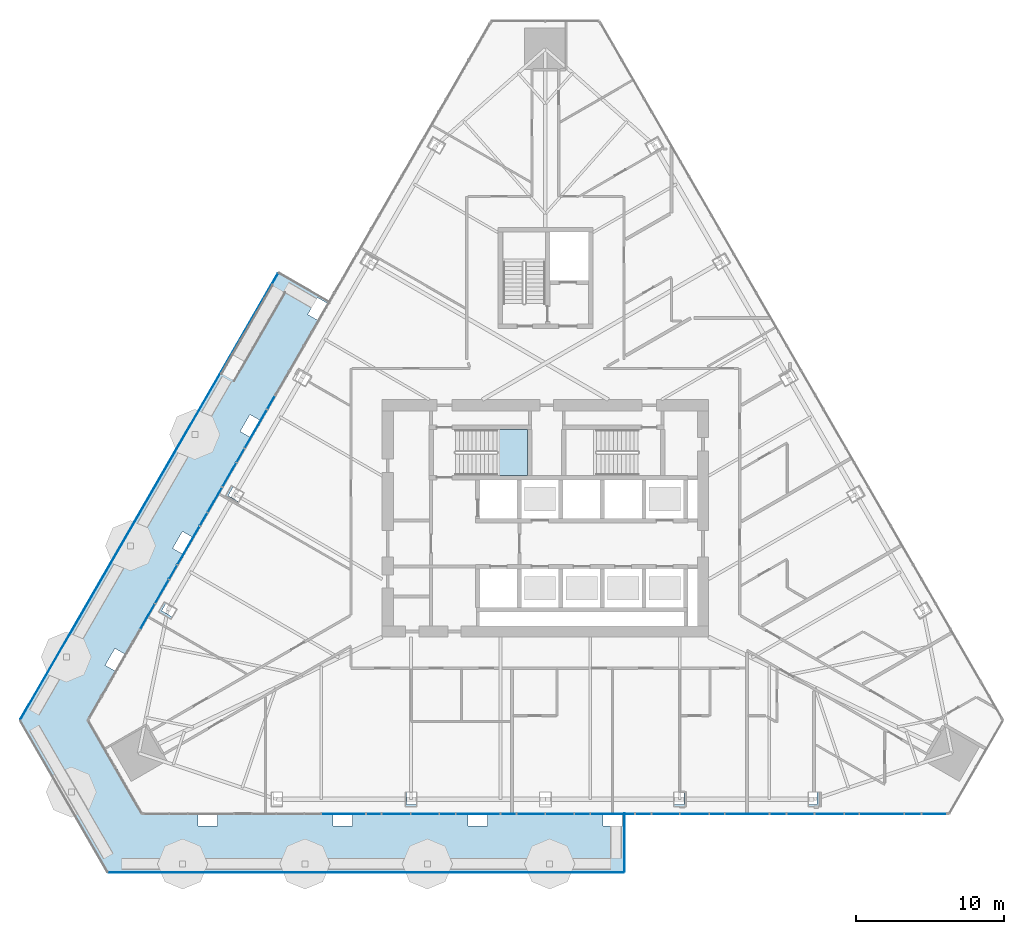
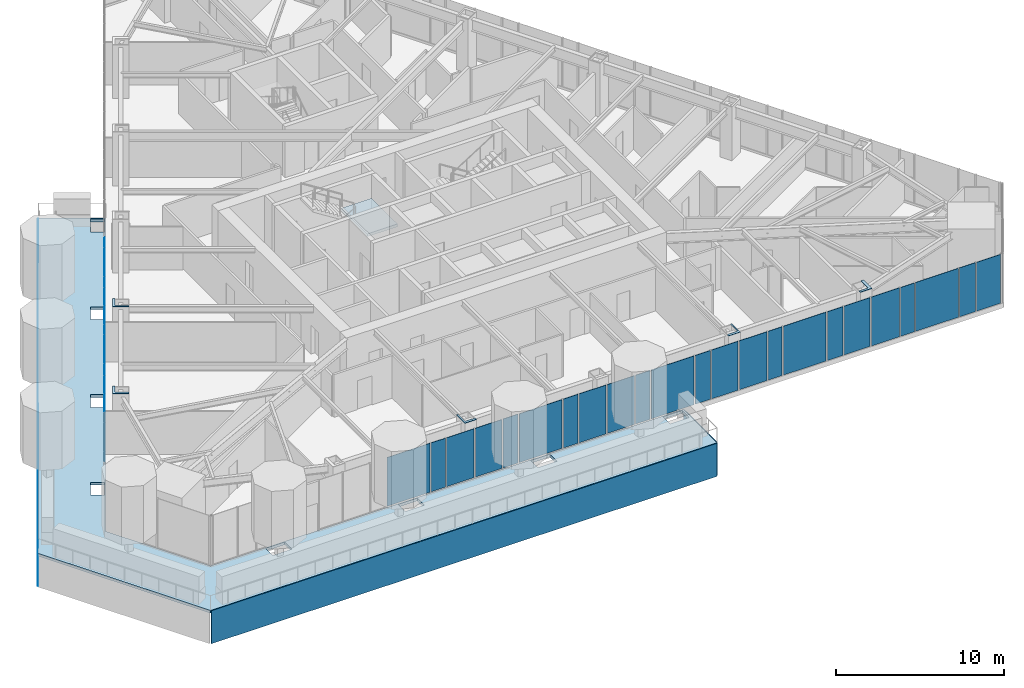
# One storey, part 17 of 32: 41 plates, 2 slabs, 3 elements without a shape of their own.
"""IFC4 building model written with IfcOpenShell, lengths in metres."""

from ifc_helpers import new_model, si_unit, direction, frame, origin, place, context, subcontext, project, spatial, polyline, outline, extrude, material, layer, layer_set, type_object, element, aggregate, save


model = new_model("IFC4")

# Units and contexts
model_context = context("Model", 3, precision=1e-05, world=origin(), true_north=direction((0.0, 1.0)))
body_context = subcontext(model_context, "Body", "Model", "MODEL_VIEW")
ifc_project = project(units=[si_unit("LENGTHUNIT", "METRE"), si_unit("AREAUNIT", "SQUARE_METRE"), si_unit("VOLUMEUNIT", "CUBIC_METRE"), si_unit("PLANEANGLEUNIT", "RADIAN"), si_unit("MASSUNIT", "GRAM", prefix="KILO")], contexts=[model_context])

# Site, building, storey
site_placement = place(None, origin())
site = spatial("IfcSite", under=ifc_project, at=site_placement, CompositionType="ELEMENT")
building_placement = place(site_placement, origin())
building = spatial("IfcBuilding", under=site, at=building_placement, Name="Firuza Gate Tower and Library", CompositionType="ELEMENT")
storey_placement = place(building_placement, frame((0.0, 0.0, 163.60009765625)))
storey = spatial("IfcBuildingStorey", under=building, at=storey_placement, Name="L37", CompositionType="ELEMENT", Elevation=163.60009765625)

# Plates
ifc_material_1 = material(Name="Steel S355", Category="steel")
ifc_layer_1 = layer(ifc_material_1, 0.030029296875)
ifc_layer_set_1 = layer_set([ifc_layer_1], Name="Column infill plate 30 Steel S355")
plate_type_1 = type_object("IfcPlateType", Name="Column infill plate 30 Steel S355", PredefinedType="SHEET", material=ifc_layer_set_1)
placement_1 = place(storey_placement, frame((0.0, 0.0, 3.89990234375)))
element("IfcPlate", 1, at=placement_1, inside=storey, type_object=plate_type_1, Name="Infill plate L37:S2", PredefinedType="SHEET", context=body_context, shape_type="SweptSolid", body=[
    extrude(outline(polyline([(66.345947265625, 55.56103515625), (66.345947265625, 55.720458984375), (65.63818359375, 55.720458984375), (65.63818359375, 56.56103515625), (65.546142578125, 56.56103515625), (65.546142578125, 55.56103515625), (66.345947265625, 55.56103515625)])), origin(), (0.0, 0.0, 1.0), 0.030029296875),
])
element("IfcPlate", 2, at=placement_1, inside=storey, type_object=plate_type_1, Name="Infill plate L37:S4", PredefinedType="SHEET", context=body_context, shape_type="SweptSolid", body=[
    extrude(outline(polyline([(84.453857421875, 56.56103515625), (84.36181640625, 56.56103515625), (84.36181640625, 55.720458984375), (83.654052734375, 55.720458984375), (83.654052734375, 55.56103515625), (84.453857421875, 55.56103515625), (84.453857421875, 56.56103515625)])), origin(), (0.0, 0.0, 1.0), 0.030029296875),
])
element("IfcPlate", 3, at=placement_1, inside=storey, type_object=plate_type_1, Name="Infill plate L37:S5", PredefinedType="SHEET", context=body_context, shape_type="SweptSolid", body=[
    extrude(outline(polyline([(93.508056640625, 56.56103515625), (93.323974609375, 56.56103515625), (93.323974609375, 55.720458984375), (92.7080078125, 55.720458984375), (92.7080078125, 55.56103515625), (93.508056640625, 55.56103515625), (93.508056640625, 56.56103515625)])), origin(), (0.0, 0.0, 1.0), 0.030029296875),
])
element("IfcPlate", 4, at=placement_1, inside=storey, type_object=plate_type_1, Name="Infill plate L37:W4", PredefinedType="SHEET", context=body_context, shape_type="SweptSolid", body=[
    extrude(outline(polyline([(54.304443359375, 76.031982421875), (54.3505859375, 76.11181640625), (53.62255859375, 76.531982421875), (53.9765625, 77.145263671875), (53.83837890625, 77.224853515625), (53.4384765625, 76.531982421875), (54.304443359375, 76.031982421875)])), origin(), (0.0, 0.0, 1.0), 0.030029296875),
])
element("IfcPlate", 5, at=placement_1, inside=storey, type_object=plate_type_1, Name="Infill plate L37:W5", PredefinedType="SHEET", context=body_context, shape_type="SweptSolid", body=[
    extrude(outline(polyline([(49.777587890625, 68.191162109375), (49.86962890625, 68.3505859375), (49.1416015625, 68.770751953125), (49.449462890625, 69.30419921875), (49.3115234375, 69.3837890625), (48.911376953125, 68.691162109375), (49.777587890625, 68.191162109375)])), origin(), (0.0, 0.0, 1.0), 0.030029296875),
])

# Curtain wall, plates
ifc_material_2 = material(Name="Aluminium 6063-T6", Category="aluminium")
ifc_layer_2 = layer(ifc_material_2, 0.14990234375)
ifc_layer_set_2 = layer_set([ifc_layer_2], Name="Unitised curtain wall, hotel")
curtain_wall_type = type_object("IfcCurtainWallType", Name="Unitised curtain wall, hotel", PredefinedType="NOTDEFINED", material=ifc_layer_set_2)
placement_2 = place(storey_placement, origin())
curtain_wall_1 = element("IfcCurtainWall", 6, at=placement_2, inside=storey, type_object=curtain_wall_type, Name="CW2 L37 S face", PredefinedType="NOTDEFINED")
ifc_material_3 = material(Name="Fritted glass", Category="glass")
ifc_layer_3 = layer(ifc_material_3, 0.030029296875)
ifc_layer_set_3 = layer_set([ifc_layer_3], Name="Fritted glass unit, hotel")
plate_type_2 = type_object("IfcPlateType", Name="Fritted glass unit, hotel", PredefinedType="CURTAIN_PANEL", material=ifc_layer_set_3)
plate_6_placement = place(storey_placement, frame((63.99853515625, 55.071044921875, 0.14990234375), z_axis=(0.0, -1.0, 0.0), x_axis=(1.0, 0.0, 0.0)))
plate_6 = element("IfcPlate", 7, at=plate_6_placement, type_object=plate_type_2, Name="Glass unit", PredefinedType="CURTAIN_PANEL", context=body_context, shape_type="SweptSolid", body=[
    extrude(outline(polyline([(0.0, 0.0), (1.89306640625, 0.0), (1.89306640625, 3.550048828125), (0.0, 3.550048828125), (0.0, 0.0)])), origin(), (0.0, 0.0, -1.0), 0.030029296875),
])
plate_7_placement = place(storey_placement, frame((65.9716796875, 55.071044921875, 0.14990234375), z_axis=(0.0, -1.0, 0.0), x_axis=(1.0, 0.0, 0.0)))
plate_7 = element("IfcPlate", 8, at=plate_7_placement, type_object=plate_type_2, Name="Glass unit", PredefinedType="CURTAIN_PANEL", context=body_context, shape_type="SweptSolid", body=[
    extrude(outline(polyline([(0.0, 0.0), (1.829833984375, 0.0), (1.829833984375, 3.550048828125), (0.0, 3.550048828125), (0.0, 0.0)])), origin(), (0.0, 0.0, -1.0), 0.030029296875),
])
plate_8_placement = place(storey_placement, frame((73.0986328125, 55.071044921875, 0.14990234375), z_axis=(0.0, -1.0, 0.0), x_axis=(1.0, 0.0, 0.0)))
plate_8 = element("IfcPlate", 9, at=plate_8_placement, type_object=plate_type_2, Name="Glass unit", PredefinedType="CURTAIN_PANEL", context=body_context, shape_type="SweptSolid", body=[
    extrude(outline(polyline([(0.0, 0.0), (1.861328125, 0.0), (1.861328125, 3.550048828125), (0.0, 3.550048828125), (0.0, 0.0)])), origin(), (0.0, 0.0, -1.0), 0.030029296875),
])
plate_9_placement = place(storey_placement, frame((75.0400390625, 55.071044921875, 0.14990234375), z_axis=(0.0, -1.0, 0.0), x_axis=(1.0, 0.0, 0.0)))
plate_9 = element("IfcPlate", 10, at=plate_9_placement, type_object=plate_type_2, Name="Glass unit", PredefinedType="CURTAIN_PANEL", context=body_context, shape_type="SweptSolid", body=[
    extrude(outline(polyline([(0.0, 0.0), (1.861328125, 0.0), (1.861328125, 3.550048828125), (0.0, 3.550048828125), (0.0, 0.0)])), origin(), (0.0, 0.0, -1.0), 0.030029296875),
])
plate_10_placement = place(storey_placement, frame((82.198486328125, 55.071044921875, 0.14990234375), z_axis=(0.0, -1.0, 0.0), x_axis=(1.0, 0.0, 0.0)))
plate_10 = element("IfcPlate", 11, at=plate_10_placement, type_object=plate_type_2, Name="Glass unit", PredefinedType="CURTAIN_PANEL", context=body_context, shape_type="SweptSolid", body=[
    extrude(outline(polyline([(0.0, 0.0), (1.829833984375, 0.0), (1.829833984375, 3.550048828125), (0.0, 3.550048828125), (0.0, 0.0)])), origin(), (0.0, 0.0, -1.0), 0.030029296875),
])
plate_11_placement = place(storey_placement, frame((84.1083984375, 55.071044921875, 0.14990234375), z_axis=(0.0, -1.0, 0.0), x_axis=(1.0, 0.0, 0.0)))
plate_11 = element("IfcPlate", 12, at=plate_11_placement, type_object=plate_type_2, Name="Glass unit", PredefinedType="CURTAIN_PANEL", context=body_context, shape_type="SweptSolid", body=[
    extrude(outline(polyline([(0.0, 0.0), (1.89306640625, 0.0), (1.89306640625, 3.550048828125), (0.0, 3.550048828125), (0.0, 0.0)])), origin(), (0.0, 0.0, -1.0), 0.030029296875),
])
plate_12_placement = place(storey_placement, frame((91.298583984375, 55.071044921875, 0.14990234375), z_axis=(0.0, -1.0, 0.0), x_axis=(1.0, 0.0, 0.0)))
plate_12 = element("IfcPlate", 13, at=plate_12_placement, type_object=plate_type_2, Name="Glass unit", PredefinedType="CURTAIN_PANEL", context=body_context, shape_type="SweptSolid", body=[
    extrude(outline(polyline([(0.0, 0.0), (1.79833984375, 0.0), (1.79833984375, 3.550048828125), (0.0, 3.550048828125), (0.0, 0.0)])), origin(), (0.0, 0.0, -1.0), 0.030029296875),
])
plate_13_placement = place(storey_placement, frame((93.1767578125, 55.071044921875, 0.14990234375), z_axis=(0.0, -1.0, 0.0), x_axis=(1.0, 0.0, 0.0)))
plate_13 = element("IfcPlate", 14, at=plate_13_placement, type_object=plate_type_2, Name="Glass unit", PredefinedType="CURTAIN_PANEL", context=body_context, shape_type="SweptSolid", body=[
    extrude(outline(polyline([(0.0, 0.0), (1.9248046875, 0.0), (1.9248046875, 3.550048828125), (0.0, 3.550048828125), (0.0, 0.0)])), origin(), (0.0, 0.0, -1.0), 0.030029296875),
])
plate_14_placement = place(storey_placement, frame((100.3984375, 55.071044921875, 0.14990234375), z_axis=(0.0, -1.0, 0.0), x_axis=(1.0, 0.0, 0.0)))
plate_14 = element("IfcPlate", 15, at=plate_14_placement, type_object=plate_type_2, Name="Glass unit", PredefinedType="CURTAIN_PANEL", context=body_context, shape_type="SweptSolid", body=[
    extrude(outline(polyline([(0.0, 0.0), (1.638671875, 0.0), (1.638671875, 3.550048828125), (0.0, 3.550048828125), (0.0, 0.0)])), origin(), (0.0, 0.0, -1.0), 0.030029296875),
])

curtain_wall_2 = element("IfcCurtainWall", 16, at=placement_2, inside=storey, type_object=curtain_wall_type, Name="CW2 L37 W face", PredefinedType="NOTDEFINED")
plate_15_placement = place(storey_placement, frame((54.141845703125, 78.730224609375, 0.14990234375), z_axis=(-0.866001173587, 0.500041965584, 0.0), x_axis=(-0.500041965584, -0.866001173587, 0.0)))
plate_15 = element("IfcPlate", 17, at=plate_15_placement, type_object=plate_type_2, Name="Glass unit", PredefinedType="CURTAIN_PANEL", context=body_context, shape_type="SweptSolid", body=[
    extrude(outline(polyline([(0.0, 0.0), (1.82992453729618, 0.0), (1.82992453729618, 3.550048828125), (0.0, 3.550048828125), (0.0, 0.0)])), origin(), (0.0, 0.0, -1.0), 0.030029296875),
])
plate_16_placement = place(storey_placement, frame((53.186767578125, 77.076416015625, 0.14990234375), z_axis=(-0.866108284413, 0.499856419056, 0.0), x_axis=(-0.499856419056, -0.866108284413, 0.0)))
plate_16 = element("IfcPlate", 18, at=plate_16_placement, type_object=plate_type_2, Name="Glass unit", PredefinedType="CURTAIN_PANEL", context=body_context, shape_type="SweptSolid", body=[
    extrude(outline(polyline([(0.0, 0.0), (1.8931217574163899, 0.0), (1.8931217574163899, 3.550048828125), (0.0, 3.550048828125), (0.0, 0.0)])), origin(), (0.0, 0.0, -1.0), 0.030029296875),
])
plate_17_placement = place(storey_placement, frame((49.591796875, 70.849609375, 0.14990234375), z_axis=(-0.866020546064, 0.500008413725, 0.0), x_axis=(-0.500008413725, -0.866020546064, 0.0)))
plate_17 = element("IfcPlate", 19, at=plate_17_placement, type_object=plate_type_2, Name="Glass unit", PredefinedType="CURTAIN_PANEL", context=body_context, shape_type="SweptSolid", body=[
    extrude(outline(polyline([(0.0, 0.0), (1.7983095827852928, 0.0), (1.7983095827852928, 3.550048828125), (0.0, 3.550048828125), (0.0, 0.0)])), origin(), (0.0, 0.0, -1.0), 0.030029296875),
])
plate_18_placement = place(storey_placement, frame((48.652587890625, 69.222900390625, 0.14990234375), z_axis=(-0.86605672853, 0.499945740023, 0.0), x_axis=(-0.499945740023, -0.86605672853, 0.0)))
plate_18 = element("IfcPlate", 20, at=plate_18_placement, type_object=plate_type_2, Name="Glass unit", PredefinedType="CURTAIN_PANEL", context=body_context, shape_type="SweptSolid", body=[
    extrude(outline(polyline([(0.0, 0.0), (1.9245252556415973, 0.0), (1.9245252556415973, 3.550048828125), (0.0, 3.550048828125), (0.0, 0.0)])), origin(), (0.0, 0.0, -1.0), 0.030029296875),
])

# Plate
ifc_material_4 = material(Name="Glazed ceramic tile")
ifc_layer_4 = layer(ifc_material_4, 0.030029296875)
ifc_layer_set_4 = layer_set([ifc_layer_4], Name="Opaque ceramic panel, hotel")
plate_type_3 = type_object("IfcPlateType", Name="Opaque ceramic panel, hotel", PredefinedType="CURTAIN_PANEL", material=ifc_layer_set_4)
plate_19_placement = place(storey_placement, frame((59.926025390625, 55.071044921875, 0.14990234375), z_axis=(0.0, -1.0, 0.0), x_axis=(1.0, 0.0, 0.0)))
plate_19 = element("IfcPlate", 21, at=plate_19_placement, type_object=plate_type_3, Name="Opaque ceramic panel", PredefinedType="CURTAIN_PANEL", context=body_context, shape_type="SweptSolid", body=[
    extrude(outline(polyline([(0.0, 0.0), (2.94287109375, 0.0), (2.94287109375, 3.550048828125), (0.0, 3.550048828125), (0.0, 0.0)])), origin(), (0.0, 0.0, -1.0), 0.030029296875),
])

plate_20_placement = place(storey_placement, frame((62.94873046875, 55.071044921875, 0.14990234375), z_axis=(0.0, -1.0, 0.0), x_axis=(1.0, 0.0, 0.0)))
plate_20 = element("IfcPlate", 22, at=plate_20_placement, type_object=plate_type_3, Name="Opaque ceramic panel", PredefinedType="CURTAIN_PANEL", context=body_context, shape_type="SweptSolid", body=[
    extrude(outline(polyline([(0.0, 0.0), (0.9697265625, 0.0), (0.9697265625, 3.550048828125), (0.0, 3.550048828125), (0.0, 0.0)])), origin(), (0.0, 0.0, -1.0), 0.030029296875),
])

plate_21_placement = place(storey_placement, frame((67.881591796875, 55.071044921875, 0.14990234375), z_axis=(0.0, -1.0, 0.0), x_axis=(1.0, 0.0, 0.0)))
plate_21 = element("IfcPlate", 23, at=plate_21_placement, type_object=plate_type_3, Name="Opaque ceramic panel", PredefinedType="CURTAIN_PANEL", context=body_context, shape_type="SweptSolid", body=[
    extrude(outline(polyline([(0.0, 0.0), (1.03271484375, 0.0), (1.03271484375, 3.550048828125), (0.0, 3.550048828125), (0.0, 0.0)])), origin(), (0.0, 0.0, -1.0), 0.030029296875),
])

plate_22_placement = place(storey_placement, frame((68.994384765625, 55.071044921875, 0.14990234375), z_axis=(0.0, -1.0, 0.0), x_axis=(1.0, 0.0, 0.0)))
plate_22 = element("IfcPlate", 24, at=plate_22_placement, type_object=plate_type_3, Name="Opaque ceramic panel", PredefinedType="CURTAIN_PANEL", context=body_context, shape_type="SweptSolid", body=[
    extrude(outline(polyline([(0.0, 0.0), (2.94287109375, 0.0), (2.94287109375, 3.550048828125), (0.0, 3.550048828125), (0.0, 0.0)])), origin(), (0.0, 0.0, -1.0), 0.030029296875),
])

plate_23_placement = place(storey_placement, frame((72.01708984375, 55.071044921875, 0.14990234375), z_axis=(0.0, -1.0, 0.0), x_axis=(1.0, 0.0, 0.0)))
plate_23 = element("IfcPlate", 25, at=plate_23_placement, type_object=plate_type_3, Name="Opaque ceramic panel", PredefinedType="CURTAIN_PANEL", context=body_context, shape_type="SweptSolid", body=[
    extrude(outline(polyline([(0.0, 0.0), (1.00146484375, 0.0), (1.00146484375, 3.550048828125), (0.0, 3.550048828125), (0.0, 0.0)])), origin(), (0.0, 0.0, -1.0), 0.030029296875),
])

plate_24_placement = place(storey_placement, frame((76.9814453125, 55.071044921875, 0.14990234375), z_axis=(0.0, -1.0, 0.0), x_axis=(1.0, 0.0, 0.0)))
plate_24 = element("IfcPlate", 26, at=plate_24_placement, type_object=plate_type_3, Name="Opaque ceramic panel", PredefinedType="CURTAIN_PANEL", context=body_context, shape_type="SweptSolid", body=[
    extrude(outline(polyline([(0.0, 0.0), (1.00146484375, 0.0), (1.00146484375, 3.550048828125), (0.0, 3.550048828125), (0.0, 0.0)])), origin(), (0.0, 0.0, -1.0), 0.030029296875),
])

plate_25_placement = place(storey_placement, frame((78.062744140625, 55.071044921875, 0.14990234375), z_axis=(0.0, -1.0, 0.0), x_axis=(1.0, 0.0, 0.0)))
plate_25 = element("IfcPlate", 27, at=plate_25_placement, type_object=plate_type_3, Name="Opaque ceramic panel", PredefinedType="CURTAIN_PANEL", context=body_context, shape_type="SweptSolid", body=[
    extrude(outline(polyline([(0.0, 0.0), (2.94287109375, 0.0), (2.94287109375, 3.550048828125), (0.0, 3.550048828125), (0.0, 0.0)])), origin(), (0.0, 0.0, -1.0), 0.030029296875),
])

plate_26_placement = place(storey_placement, frame((81.085693359375, 55.071044921875, 0.14990234375), z_axis=(0.0, -1.0, 0.0), x_axis=(1.0, 0.0, 0.0)))
plate_26 = element("IfcPlate", 28, at=plate_26_placement, type_object=plate_type_3, Name="Opaque ceramic panel", PredefinedType="CURTAIN_PANEL", context=body_context, shape_type="SweptSolid", body=[
    extrude(outline(polyline([(0.0, 0.0), (1.03271484375, 0.0), (1.03271484375, 3.550048828125), (0.0, 3.550048828125), (0.0, 0.0)])), origin(), (0.0, 0.0, -1.0), 0.030029296875),
])

plate_27_placement = place(storey_placement, frame((86.08154296875, 55.071044921875, 0.14990234375), z_axis=(0.0, -1.0, 0.0), x_axis=(1.0, 0.0, 0.0)))
plate_27 = element("IfcPlate", 29, at=plate_27_placement, type_object=plate_type_3, Name="Opaque ceramic panel", PredefinedType="CURTAIN_PANEL", context=body_context, shape_type="SweptSolid", body=[
    extrude(outline(polyline([(0.0, 0.0), (0.9697265625, 0.0), (0.9697265625, 3.550048828125), (0.0, 3.550048828125), (0.0, 0.0)])), origin(), (0.0, 0.0, -1.0), 0.030029296875),
])

plate_28_placement = place(storey_placement, frame((87.131103515625, 55.071044921875, 0.14990234375), z_axis=(0.0, -1.0, 0.0), x_axis=(1.0, 0.0, 0.0)))
plate_28 = element("IfcPlate", 30, at=plate_28_placement, type_object=plate_type_3, Name="Opaque ceramic panel", PredefinedType="CURTAIN_PANEL", context=body_context, shape_type="SweptSolid", body=[
    extrude(outline(polyline([(0.0, 0.0), (2.94287109375, 0.0), (2.94287109375, 3.550048828125), (0.0, 3.550048828125), (0.0, 0.0)])), origin(), (0.0, 0.0, -1.0), 0.030029296875),
])

plate_29_placement = place(storey_placement, frame((90.154052734375, 55.071044921875, 0.14990234375), z_axis=(0.0, -1.0, 0.0), x_axis=(1.0, 0.0, 0.0)))
plate_29 = element("IfcPlate", 31, at=plate_29_placement, type_object=plate_type_3, Name="Opaque ceramic panel", PredefinedType="CURTAIN_PANEL", context=body_context, shape_type="SweptSolid", body=[
    extrude(outline(polyline([(0.0, 0.0), (1.064453125, 0.0), (1.064453125, 3.550048828125), (0.0, 3.550048828125), (0.0, 0.0)])), origin(), (0.0, 0.0, -1.0), 0.030029296875),
])

plate_30_placement = place(storey_placement, frame((95.181396484375, 55.071044921875, 0.14990234375), z_axis=(0.0, -1.0, 0.0), x_axis=(1.0, 0.0, 0.0)))
plate_30 = element("IfcPlate", 32, at=plate_30_placement, type_object=plate_type_3, Name="Opaque ceramic panel", PredefinedType="CURTAIN_PANEL", context=body_context, shape_type="SweptSolid", body=[
    extrude(outline(polyline([(0.0, 0.0), (0.938232421875, 0.0), (0.938232421875, 3.550048828125), (0.0, 3.550048828125), (0.0, 0.0)])), origin(), (0.0, 0.0, -1.0), 0.030029296875),
])

plate_31_placement = place(storey_placement, frame((96.19970703125, 55.071044921875, 0.14990234375), z_axis=(0.0, -1.0, 0.0), x_axis=(1.0, 0.0, 0.0)))
plate_31 = element("IfcPlate", 33, at=plate_31_placement, type_object=plate_type_3, Name="Opaque ceramic panel", PredefinedType="CURTAIN_PANEL", context=body_context, shape_type="SweptSolid", body=[
    extrude(outline(polyline([(0.0, 0.0), (2.942626953125, 0.0), (2.942626953125, 3.550048828125), (0.0, 3.550048828125), (0.0, 0.0)])), origin(), (0.0, 0.0, -1.0), 0.030029296875),
])

plate_32_placement = place(storey_placement, frame((99.222412109375, 55.071044921875, 0.14990234375), z_axis=(0.0, -1.0, 0.0), x_axis=(1.0, 0.0, 0.0)))
plate_32 = element("IfcPlate", 34, at=plate_32_placement, type_object=plate_type_3, Name="Opaque ceramic panel", PredefinedType="CURTAIN_PANEL", context=body_context, shape_type="SweptSolid", body=[
    extrude(outline(polyline([(0.0, 0.0), (1.09619140625, 0.0), (1.09619140625, 3.550048828125), (0.0, 3.550048828125), (0.0, 0.0)])), origin(), (0.0, 0.0, -1.0), 0.030029296875),
])

aggregate(curtain_wall_1, [plate_19, plate_20, plate_6, plate_7, plate_21, plate_22, plate_23, plate_8, plate_9, plate_24, plate_25, plate_26, plate_10, plate_11, plate_27, plate_28, plate_29, plate_12, plate_13, plate_30, plate_31, plate_32, plate_14])

plate_33_placement = place(storey_placement, frame((56.750244140625, 83.24853515625, 0.14990234375), z_axis=(-0.866104386261, 0.499863173377, 0.0), x_axis=(-0.499863173377, -0.866104386261, 0.0)))
plate_33 = element("IfcPlate", 35, at=plate_33_placement, type_object=plate_type_3, Name="Opaque ceramic panel", PredefinedType="CURTAIN_PANEL", context=body_context, shape_type="SweptSolid", body=[
    extrude(outline(polyline([(0.0, 0.0), (1.001250557964803, 0.0), (1.001250557964803, 3.550048828125), (0.0, 3.550048828125), (0.0, 0.0)])), origin(), (0.0, 0.0, -1.0), 0.030029296875),
])

plate_34_placement = place(storey_placement, frame((56.209716796875, 82.31201171875, 0.14990234375), z_axis=(-0.866023947468, 0.500002522405, 0.0), x_axis=(-0.500002522405, -0.866023947468, 0.0)))
plate_34 = element("IfcPlate", 36, at=plate_34_placement, type_object=plate_type_3, Name="Opaque ceramic panel", PredefinedType="CURTAIN_PANEL", context=body_context, shape_type="SweptSolid", body=[
    extrude(outline(polyline([(0.0, 0.0), (2.942856247596896, 0.0), (2.942856247596896, 3.550048828125), (0.0, 3.550048828125), (0.0, 0.0)])), origin(), (0.0, 0.0, -1.0), 0.030029296875),
])

plate_35_placement = place(storey_placement, frame((54.6982421875, 79.694091796875, 0.14990234375), z_axis=(-0.866067506982, 0.499927068031, 0.0), x_axis=(-0.499927068031, -0.866067506982, 0.0)))
plate_35 = element("IfcPlate", 37, at=plate_35_placement, type_object=plate_type_3, Name="Opaque ceramic panel", PredefinedType="CURTAIN_PANEL", context=body_context, shape_type="SweptSolid", body=[
    extrude(outline(polyline([(0.0, 0.0), (1.0328655015789612, 0.0), (1.0328655015789612, 3.550048828125), (0.0, 3.550048828125), (0.0, 0.0)])), origin(), (0.0, 0.0, -1.0), 0.030029296875),
])

plate_36_placement = place(storey_placement, frame((52.200439453125, 75.36767578125, 0.14990234375), z_axis=(-0.866034661658, 0.49998396455, 0.0), x_axis=(-0.49998396455, -0.866034661658, 0.0)))
plate_36 = element("IfcPlate", 38, at=plate_36_placement, type_object=plate_type_3, Name="Opaque ceramic panel", PredefinedType="CURTAIN_PANEL", context=body_context, shape_type="SweptSolid", body=[
    extrude(outline(polyline([(0.0, 0.0), (0.9697576635008249, 0.0), (0.9697576635008249, 3.550048828125), (0.0, 3.550048828125), (0.0, 0.0)])), origin(), (0.0, 0.0, -1.0), 0.030029296875),
])

plate_37_placement = place(storey_placement, frame((51.675537109375, 74.45849609375, 0.14990234375), z_axis=(-0.866023947468, 0.500002522405, 0.0), x_axis=(-0.500002522405, -0.866023947468, 0.0)))
plate_37 = element("IfcPlate", 39, at=plate_37_placement, type_object=plate_type_3, Name="Opaque ceramic panel", PredefinedType="CURTAIN_PANEL", context=body_context, shape_type="SweptSolid", body=[
    extrude(outline(polyline([(0.0, 0.0), (2.942856247596896, 0.0), (2.942856247596896, 3.550048828125), (0.0, 3.550048828125), (0.0, 0.0)])), origin(), (0.0, 0.0, -1.0), 0.030029296875),
])

plate_38_placement = place(storey_placement, frame((50.1640625, 71.840576171875, 0.14990234375), z_axis=(-0.866032814021, 0.499987164874, 0.0), x_axis=(-0.499987164874, -0.866032814021, 0.0)))
plate_38 = element("IfcPlate", 40, at=plate_38_placement, type_object=plate_type_3, Name="Opaque ceramic panel", PredefinedType="CURTAIN_PANEL", context=body_context, shape_type="SweptSolid", body=[
    extrude(outline(polyline([(0.0, 0.0), (1.064480450480687, 0.0), (1.064480450480687, 3.550048828125), (0.0, 3.550048828125), (0.0, 0.0)])), origin(), (0.0, 0.0, -1.0), 0.030029296875),
])

aggregate(curtain_wall_2, [plate_33, plate_34, plate_35, plate_15, plate_16, plate_36, plate_37, plate_38, plate_17, plate_18])

# Slab
ifc_material_5 = material(Name="Concrete C40/50", Category="concrete")
ifc_layer_5 = layer(ifc_material_5, 0.199951171875)
ifc_layer_set_5 = layer_set([ifc_layer_5], Name="Planter tray slab 200 C40/50")
slab_type_1 = type_object("IfcSlabType", Name="Planter tray slab 200 C40/50", PredefinedType="FLOOR", material=ifc_layer_set_5)
slab_1_placement = place(storey_placement, frame((0.0, 0.0, -0.2001953125)))
element("IfcSlab", 41, at=slab_1_placement, inside=storey, type_object=slab_type_1, Name="Planter tray L37 band 4", PredefinedType="FLOOR", context=body_context, shape_type="SweptSolid", body=[
    extrude(outline(polyline([(60.47705078125, 89.52294921875), (57.012939453125, 91.52294921875), (39.619384765625, 61.396484375), (45.528564453125, 51.1611328125), (80.31591796875, 51.1611328125), (80.31591796875, 55.1611328125), (47.838134765625, 55.1611328125), (44.238037109375, 61.396484375), (60.47705078125, 89.52294921875)]), holes=[polyline([(69.908447265625, 55.1064453125), (70.99169921875, 55.1064453125), (71.1083984375, 55.1064453125), (71.1083984375, 54.25634765625), (70.99169921875, 54.25634765625), (69.908447265625, 54.25634765625), (69.791748046875, 54.25634765625), (69.791748046875, 55.1064453125), (69.908447265625, 55.1064453125)]), polyline([(52.791748046875, 55.1064453125), (52.908447265625, 55.1064453125), (52.908447265625, 54.25634765625), (52.791748046875, 54.25634765625), (51.708251953125, 54.25634765625), (51.591552734375, 54.25634765625), (51.591552734375, 55.1064453125), (51.708251953125, 55.1064453125), (52.791748046875, 55.1064453125)]), polyline([(60.808349609375, 55.1064453125), (61.8916015625, 55.1064453125), (62.00830078125, 55.1064453125), (62.00830078125, 54.25634765625), (61.8916015625, 54.25634765625), (60.808349609375, 54.25634765625), (60.691650390625, 54.25634765625), (60.691650390625, 55.1064453125), (60.808349609375, 55.1064453125)]), polyline([(45.931396484375, 66.138916015625), (45.98974609375, 66.23974609375), (46.725830078125, 65.81494140625), (46.125732421875, 64.775634765625), (46.125732421875, 64.775634765625), (46.0673828125, 64.674560546875), (45.331298828125, 65.099609375), (45.931396484375, 66.138916015625), (45.931396484375, 66.138916015625)]), polyline([(50.4814453125, 74.01953125), (50.539794921875, 74.12060546875), (51.27587890625, 73.69580078125), (50.67578125, 72.656494140625), (50.67578125, 72.656494140625), (50.617431640625, 72.555419921875), (49.88134765625, 72.98046875), (50.4814453125, 74.01953125), (50.4814453125, 74.01953125)]), polyline([(55.03125, 81.900390625), (55.03125, 81.900390625), (55.089599609375, 82.00146484375), (55.825927734375, 81.576416015625), (55.225830078125, 80.537353515625), (55.225830078125, 80.537353515625), (55.16748046875, 80.436279296875), (54.431396484375, 80.861328125), (55.03125, 81.900390625)]), polyline([(59.581298828125, 89.78125), (59.581298828125, 89.78125), (59.6396484375, 89.88232421875), (60.375732421875, 89.457275390625), (59.77587890625, 88.418212890625), (59.77587890625, 88.418212890625), (59.717529296875, 88.317138671875), (58.9814453125, 88.7421875), (59.581298828125, 89.78125)]), polyline([(79.00830078125, 55.1064453125), (80.091552734375, 55.1064453125), (80.208251953125, 55.1064453125), (80.208251953125, 54.25634765625), (80.091552734375, 54.25634765625), (79.00830078125, 54.25634765625), (78.8916015625, 54.25634765625), (78.8916015625, 55.1064453125), (79.00830078125, 55.1064453125)])]), origin(), (0.0, 0.0, 1.0), 0.2001953125),
])

# Stair, slab
ifc_material_6 = material(Name="Concrete C35/45", Category="concrete")
stair_type = type_object("IfcStairType", Name="Exit stair ST7", PredefinedType="HALF_TURN_STAIR", material=ifc_material_6)
stair = element("IfcStair", 42, at=placement_2, inside=storey, type_object=stair_type, Name="L37 Stair ST1", PredefinedType="HALF_TURN_STAIR")
ifc_material_7 = material(Name="Concrete C35/45", Category="concrete")
ifc_layer_6 = layer(ifc_material_7, 0.199951171875)
ifc_layer_set_6 = layer_set([ifc_layer_6], Name="Stair landing 200")
slab_type_2 = type_object("IfcSlabType", Name="Stair landing 200", PredefinedType="LANDING", material=ifc_layer_set_6)
slab_2_placement = place(storey_placement, frame((0.0, 0.0, 1.75)))
slab_2 = element("IfcSlab", 43, at=slab_2_placement, type_object=slab_type_2, Name="ST1 landing 1", PredefinedType="LANDING", context=body_context, shape_type="SweptSolid", body=[
    extrude(outline(polyline([(71.739990234375, 77.89990234375), (73.81005859375, 77.89990234375), (73.81005859375, 80.97998046875), (71.739990234375, 80.97998046875), (71.739990234375, 77.89990234375)])), origin(), (0.0, 0.0, 1.0), 0.199951171875),
])
aggregate(stair, [slab_2])

# Plates
ifc_material_8 = material(Name="Aluminium 6063-T6", Category="aluminium")
ifc_layer_7 = layer(ifc_material_8, 0.050048828125)
ifc_layer_set_7 = layer_set([ifc_layer_7], Name="Tray fascia panel 50")
plate_type_4 = type_object("IfcPlateType", Name="Tray fascia panel 50", PredefinedType="SHEET", material=ifc_layer_set_7)
plate_39_placement = place(storey_placement, frame((56.955078125, 91.52197265625, -2.400146484375), z_axis=(-0.866022504561, 0.500005021568, 0.0), x_axis=(-0.500005021568, -0.866022504561, 0.0)))
element("IfcPlate", 44, at=plate_39_placement, inside=storey, type_object=plate_type_4, Name="Tray fascia L37 1", PredefinedType="SHEET", context=body_context, shape_type="SweptSolid", body=[
    extrude(outline(polyline([(0.0, 0.0), (34.72767856894163, 0.0), (34.72767856894163, 2.400146484375), (0.0, 2.400146484375), (0.0, 0.0)])), origin(), (0.0, 0.0, -1.0), 0.050048828125),
])
plate_40_placement = place(storey_placement, frame((45.55908203125, 51.111083984375, -2.400146484375), z_axis=(0.0, -1.0, 0.0), x_axis=(1.0, 0.0, 0.0)))
element("IfcPlate", 45, at=plate_40_placement, inside=storey, type_object=plate_type_4, Name="Tray fascia L37 3", PredefinedType="SHEET", context=body_context, shape_type="SweptSolid", body=[
    extrude(outline(polyline([(0.0, 0.0), (34.726806640625, 0.0), (34.726806640625, 2.400146484375), (0.0, 2.400146484375), (0.0, 0.0)])), origin(), (0.0, 0.0, -1.0), 0.050048828125),
])
plate_41_placement = place(storey_placement, frame((80.365966796875, 51.19091796875, -2.400146484375), z_axis=(1.0, 0.0, 0.0), x_axis=(0.0, 1.0, 0.0)))
element("IfcPlate", 46, at=plate_41_placement, inside=storey, type_object=plate_type_4, Name="Tray fascia L37 4", PredefinedType="SHEET", context=body_context, shape_type="SweptSolid", body=[
    extrude(outline(polyline([(0.0, 0.0), (3.940185546875, 0.0), (3.940185546875, 2.400146484375), (0.0, 2.400146484375), (0.0, 0.0)])), origin(), (0.0, 0.0, -1.0), 0.050048828125),
])

save(model, "model.ifc")
